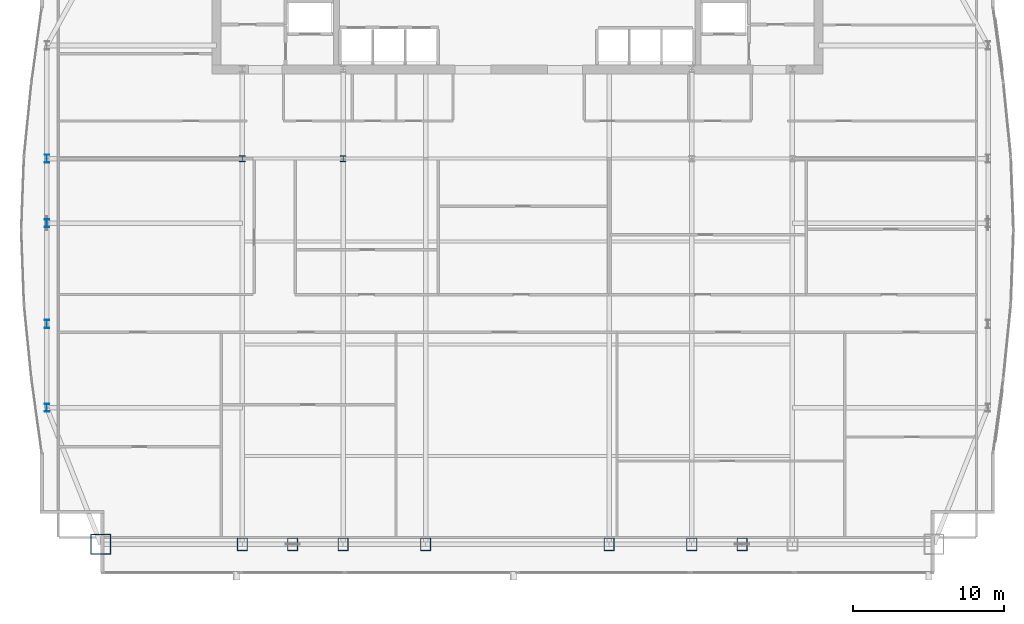
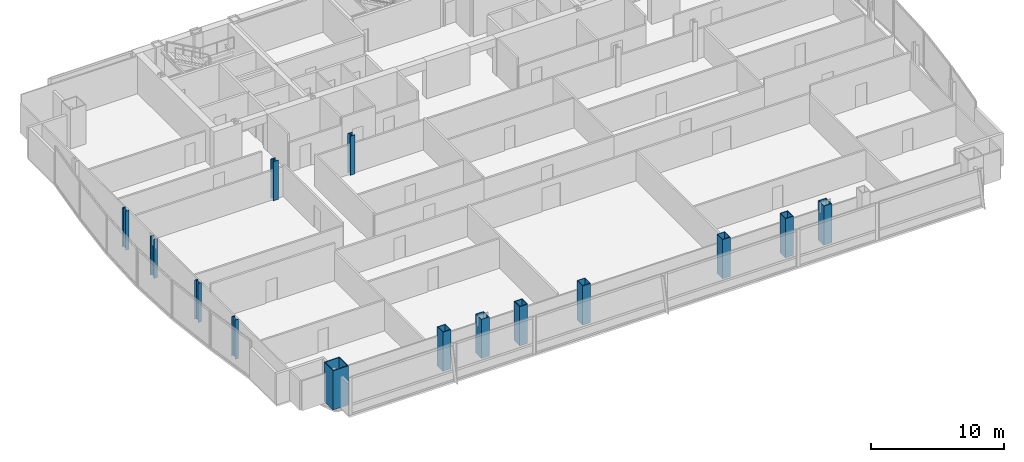
# One storey, part 1 of 29: 14 columns.
"""IFC4 building model written with IfcOpenShell, lengths in metres."""

from ifc_helpers import new_model, si_unit, direction, frame, origin, origin_2d, place, context, subcontext, project, spatial, hollow_rectangle, i_section, extrude, material, material_profile, profile_set, type_object, element, save


model = new_model("IFC4")

# Units and contexts
model_context = context("Model", 3, precision=1e-05, world=origin(), true_north=direction((0.0, 1.0)))
body_context = subcontext(model_context, "Body", "Model", "MODEL_VIEW")
ifc_project = project(units=[si_unit("LENGTHUNIT", "METRE"), si_unit("AREAUNIT", "SQUARE_METRE"), si_unit("VOLUMEUNIT", "CUBIC_METRE"), si_unit("PLANEANGLEUNIT", "RADIAN"), si_unit("MASSUNIT", "GRAM", prefix="KILO")], contexts=[model_context])

# Site, building, storey
site_placement = place(None, origin())
site = spatial("IfcSite", under=ifc_project, at=site_placement, CompositionType="ELEMENT")
building_placement = place(site_placement, origin())
building = spatial("IfcBuilding", under=site, at=building_placement, Name="Khoronbel Lancet Exchange", CompositionType="ELEMENT")
storey_placement = place(building_placement, frame((0.0, 0.0, 177.0)))
storey = spatial("IfcBuildingStorey", under=building, at=storey_placement, Name="L44", CompositionType="ELEMENT", Elevation=177.0)

# Columns
ifc_material_1 = material(Name="Steel S460", Category="steel")
ifc_material_profile_1 = material_profile(ifc_material_1, hollow_rectangle(XDim=0.699951171875, YDim=0.85009765625, WallThickness=0.050048828125, at=origin_2d()), Name="BOX 850x700x50")
ifc_profile_set_1 = profile_set([ifc_material_profile_1], Name="Steel S460")
column_type_1 = type_object("IfcColumnType", Name="COL-EC2", PredefinedType="COLUMN", material=ifc_profile_set_1)
for number, where, z_axis, x_axis, name in (
    (1, (18.22509765625, 10.14990234375, 0.0), (0.0, 0.0, 1.0), (1.0, 0.0, 0.0), "Structural column SC-W1 L44"),
    (2, (21.5625, 10.14990234375, 0.0), (0.0, 0.0, 1.0), (1.0, 0.0, 0.0), "Structural column SC-WM L44"),
    (3, (24.89990234375, 10.14990234375, 0.0), (0.0, 0.0, 1.0), (1.0, 0.0, 0.0), "Structural column SC-W2 L44"),
    (4, (30.375, 10.14990234375, 0.0), (0.0, 0.0, 1.0), (1.0, 0.0, 0.0), "Structural column SC-C1 L44"),
    (5, (42.52490234375, 10.14990234375, 0.0), (0.0, 0.0, 1.0), (1.0, 0.0, 0.0), "Structural column SC-C2 L44"),
    (6, (48.0, 10.14990234375, 0.0), (0.0, 0.0, 1.0), (1.0, 0.0, 0.0), "Structural column SC-E1 L44"),
    (7, (51.33740234375, 10.14990234375, 0.0), (0.0, 0.0, 1.0), (1.0, 0.0, 0.0), "Structural column SC-EM L44"),
):
    element("IfcColumn", number, at=place(storey_placement, frame(where, z_axis=z_axis, x_axis=x_axis)), inside=storey, type_object=column_type_1, Name=name, PredefinedType="COLUMN", context=body_context, shape_type="SweptSolid", body=[
        extrude(hollow_rectangle(XDim=0.699951171875, YDim=0.85009765625, WallThickness=0.050048828125, at=origin_2d()), origin(), (0.0, 0.0, 1.0), 3.60009765625),
    ])
ifc_material_profile_2 = material_profile(ifc_material_1, i_section(OverallWidth=0.416015625, OverallDepth=0.446044921875, WebThickness=0.0390625, FlangeThickness=0.062744140625, at=origin_2d()), Name="HD 400x509")
ifc_profile_set_2 = profile_set([ifc_material_profile_2], Name="Steel S460")
column_type_2 = type_object("IfcColumnType", Name="COL-IC2", PredefinedType="COLUMN", material=ifc_profile_set_2)
for number, where, z_axis, x_axis, name in (
    (8, (18.22509765625, 35.699951171875, 0.0), (0.0, 0.0, 1.0), (1.0, 0.0, 0.0), "Spine gravity column TC1 L44"),
    (9, (24.89990234375, 35.699951171875, 0.0), (0.0, 0.0, 1.0), (1.0, 0.0, 0.0), "Spine gravity column TC2 L44"),
):
    element("IfcColumn", number, at=place(storey_placement, frame(where, z_axis=z_axis, x_axis=x_axis)), inside=storey, type_object=column_type_2, Name=name, PredefinedType="COLUMN", context=body_context, shape_type="SweptSolid", body=[
        extrude(i_section(OverallWidth=0.416015625, OverallDepth=0.446044921875, WebThickness=0.0390625, FlangeThickness=0.062744140625, at=origin_2d()), origin(), (0.0, 0.0, 1.0), 3.60009765625),
    ])
ifc_material_2 = material(Name="Steel S355", Category="steel")
ifc_material_profile_3 = material_profile(ifc_material_2, i_section(OverallWidth=0.300048828125, OverallDepth=0.550048828125, WebThickness=0.014892578125, FlangeThickness=0.029052734375, at=origin_2d()), Name="HEB 550")
ifc_profile_set_3 = profile_set([ifc_material_profile_3], Name="Steel S355")
column_type_3 = type_object("IfcColumnType", Name="COL-LC1", PredefinedType="COLUMN", material=ifc_profile_set_3)
for number, where, z_axis, x_axis, name in (
    (10, (5.27001953125, 19.199951171875, 0.0), (0.0, 0.0, 1.0), (1.0, 0.0, 0.0), "Structural column WC-1 L44"),
    (11, (5.27001953125, 24.75, 0.0), (0.0, 0.0, 1.0), (1.0, 0.0, 0.0), "Structural column WC-2 L44"),
    (12, (5.27001953125, 31.425048828125, 0.0), (0.0, 0.0, 1.0), (1.0, 0.0, 0.0), "Structural column WC-M L44"),
    (13, (5.27001953125, 35.699951171875, 0.0), (0.0, 0.0, 1.0), (1.0, 0.0, 0.0), "Structural column WC-3 L44"),
):
    element("IfcColumn", number, at=place(storey_placement, frame(where, z_axis=z_axis, x_axis=x_axis)), inside=storey, type_object=column_type_3, Name=name, PredefinedType="COLUMN", context=body_context, shape_type="SweptSolid", body=[
        extrude(i_section(OverallWidth=0.300048828125, OverallDepth=0.550048828125, WebThickness=0.014892578125, FlangeThickness=0.029052734375, at=origin_2d()), origin(), (0.0, 0.0, 1.0), 3.60009765625),
    ])
ifc_material_profile_4 = material_profile(ifc_material_1, hollow_rectangle(XDim=1.35009765625, YDim=1.35009765625, WallThickness=0.06494140625, at=origin_2d()), Name="BOX 1350x1350x65")
ifc_profile_set_4 = profile_set([ifc_material_profile_4], Name="Steel S460")
column_type_4 = type_object("IfcColumnType", Name="COL-MC4", PredefinedType="COLUMN", material=ifc_profile_set_4)
column_placement = place(storey_placement, frame((8.85009765625, 10.14990234375, 0.0), z_axis=(0.0, 0.0, 1.0), x_axis=(1.0, 0.0, 0.0)))
element("IfcColumn", 14, at=column_placement, inside=storey, type_object=column_type_4, Name="Structural column MC-SW L44", PredefinedType="COLUMN", context=body_context, shape_type="SweptSolid", body=[
    extrude(hollow_rectangle(XDim=1.35009765625, YDim=1.35009765625, WallThickness=0.06494140625, at=origin_2d()), origin(), (0.0, 0.0, 1.0), 3.60009765625),
])

save(model, "model.ifc")
